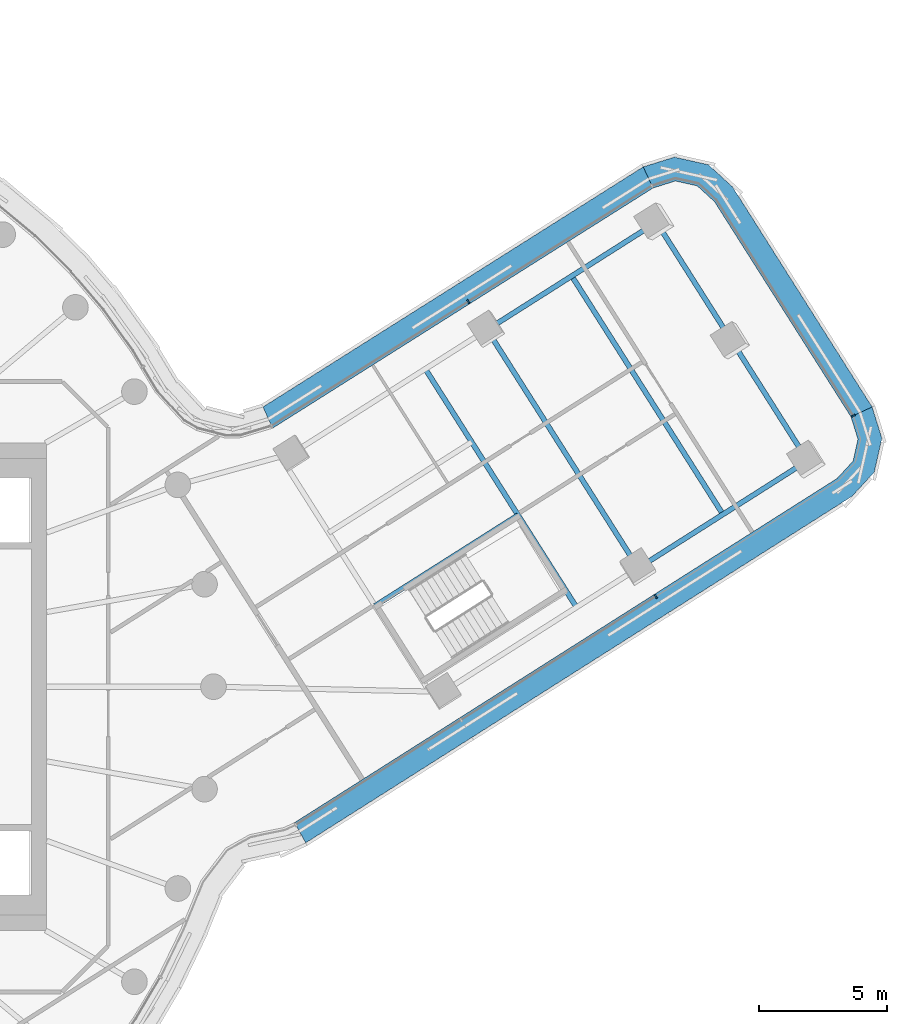
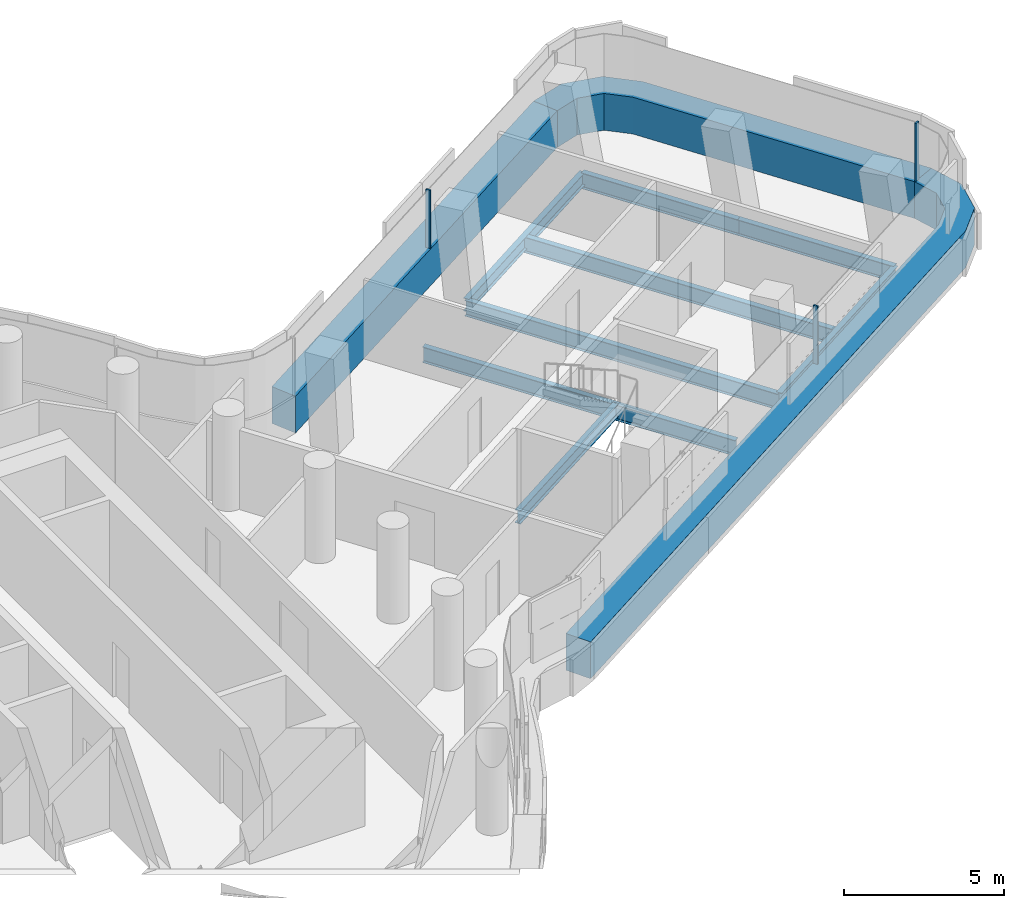
# One storey, part 14 of 36: 8 beams, 6 members, 3 elements without a shape of their own.
"""IFC4 building model written with IfcOpenShell, lengths in metres."""

import ifcopenshell
import ifcopenshell.guid

model = None  # the IFC model being written
_history = None  # IfcOwnerHistory: only IFC2X3 demands one
_inside = {}  # id of a spatial element -> (the spatial element, [elements in it])
_under = {}  # id of a project, library or spatial element -> (it, [spatial elements below it])
_declared = {}  # id of a project -> (the project, [libraries it declares])
_typed = {}  # id of a type object -> (the type object, [elements of that type])
_made_of = {}  # id of a material, layer set ... -> (it, [elements and type objects made of it])


def new_model(schema):
    """Start an empty IFC model of exactly this schema.

    Asked for "IFC4X3", IfcOpenShell would pick the latest addendum, in which some entities
    have other attributes; the version numbers below select the first issue.
    IFC2X3 requires an IfcOwnerHistory on every rooted entity: one is made here for all.
    """
    global model, _history
    if schema == "IFC4X3":
        model = ifcopenshell.file(schema_version=(4, 3, 0, 0))
    else:
        model = ifcopenshell.file(schema=schema)
    _inside.clear()
    _under.clear()
    _declared.clear()
    _typed.clear()
    _made_of.clear()
    _history = None
    if model.schema == "IFC2X3":
        org = make("IfcOrganization", Name="unknown")
        user = make(
            "IfcPersonAndOrganization",
            ThePerson=make("IfcPerson", FamilyName="unknown"),
            TheOrganization=org,
        )
        app = make(
            "IfcApplication",
            ApplicationDeveloper=org,
            Version="unknown",
            ApplicationFullName="unknown",
            ApplicationIdentifier="unknown",
        )
        _history = make(
            "IfcOwnerHistory",
            OwningUser=user,
            OwningApplication=app,
            ChangeAction="ADDED",
            CreationDate=0,
        )
    return model


def make(cls, **values):
    """One entity of the class cls with the attributes given. An attribute that is None is left unset."""
    return model.create_entity(
        cls, **{name: value for name, value in values.items() if value is not None}
    )


def rooted(cls, **values):
    """An entity with a GlobalId (a new one), such as an element, a storey or a relation."""
    return make(cls, GlobalId=ifcopenshell.guid.new(), OwnerHistory=_history, **values)


def si_unit(unit_type, name, prefix=None):
    """IfcSIUnit, for example si_unit("LENGTHUNIT", "METRE", prefix="MILLI")."""
    return make("IfcSIUnit", UnitType=unit_type, Prefix=prefix, Name=name)


def assignment(units):
    """IfcUnitAssignment: the units of a project."""
    return None if units is None else make("IfcUnitAssignment", Units=units)


def point(xyz):
    """IfcCartesianPoint."""
    return None if xyz is None else make("IfcCartesianPoint", Coordinates=xyz)


def direction(xyz):
    """IfcDirection."""
    return None if xyz is None else make("IfcDirection", DirectionRatios=xyz)


def frame(location, z_axis=None, x_axis=None):
    """IfcAxis2Placement3D, a coordinate frame: its origin and axes. An axis left out is left unset."""
    return make(
        "IfcAxis2Placement3D",
        Location=point(location),
        Axis=direction(z_axis),
        RefDirection=direction(x_axis),
    )


def frame_2d(location, x_axis=None):
    """IfcAxis2Placement2D, a coordinate frame in the plane: its origin and x axis."""
    return make(
        "IfcAxis2Placement2D", Location=point(location), RefDirection=direction(x_axis)
    )


def origin():
    """The frame at (0, 0, 0) with its axes left unset."""
    return frame((0.0, 0.0, 0.0))


def origin_2d():
    """The frame at (0, 0) in the plane with its x axis left unset."""
    return frame_2d((0.0, 0.0))


def place(relative_to, where):
    """IfcLocalPlacement: puts the frame where relative to a parent placement (None: the world)."""
    return make(
        "IfcLocalPlacement", PlacementRelTo=relative_to, RelativePlacement=where
    )


def context(
    kind, dimensions, precision=None, world=None, true_north=None, identifier=None
):
    """IfcGeometricRepresentationContext, for example the 3D "Model" context."""
    return make(
        "IfcGeometricRepresentationContext",
        ContextIdentifier=identifier,
        ContextType=kind,
        CoordinateSpaceDimension=dimensions,
        Precision=precision,
        WorldCoordinateSystem=world,
        TrueNorth=true_north,
    )


def subcontext(parent, identifier, kind, view, scale=None):
    """IfcGeometricRepresentationSubContext, for example "Body" below "Model"."""
    return make(
        "IfcGeometricRepresentationSubContext",
        ContextIdentifier=identifier,
        ContextType=kind,
        ParentContext=parent,
        TargetScale=scale,
        TargetView=view,
    )


def project(units=None, contexts=None):
    """IfcProject with its units and contexts."""
    return rooted(
        "IfcProject",
        Name="project",
        RepresentationContexts=contexts,
        UnitsInContext=assignment(units),
    )


def spatial(cls, under=None, at=None, **own):
    """A site, building, storey or space (cls), placed at a placement, below another one or the project."""
    s = rooted(cls, ObjectPlacement=at, **own)
    if under is not None:
        _under.setdefault(under.id(), (under, []))[1].append(s)
    return s


def polyline(points):
    """IfcPolyline through the points."""
    return make("IfcPolyline", Points=[point(p) for p in points])


def profile(cls, at=None, kind="AREA", **sizes):
    """A parametric profile (cls). Its sizes go by their IFC names, for example OverallWidth=200.0."""
    return make(cls, ProfileType=kind, Position=at, **sizes)


def rectangle(**sizes):
    """IfcRectangleProfileDef."""
    return profile("IfcRectangleProfileDef", **sizes)


def i_section(**sizes):
    """IfcIShapeProfileDef."""
    return profile("IfcIShapeProfileDef", **sizes)


def outline(outer, holes=None, kind="AREA"):
    """IfcArbitraryClosedProfileDef: a profile drawn as a closed curve; with holes, ...WithVoids."""
    if holes is None:
        return make("IfcArbitraryClosedProfileDef", ProfileType=kind, OuterCurve=outer)
    return make(
        "IfcArbitraryProfileDefWithVoids",
        ProfileType=kind,
        OuterCurve=outer,
        InnerCurves=holes,
    )


def extrude(swept, where, along, depth):
    """IfcExtrudedAreaSolid: the profile swept, set in the frame where, extruded along a direction by depth."""
    return make(
        "IfcExtrudedAreaSolid",
        SweptArea=swept,
        Position=where,
        ExtrudedDirection=direction(along),
        Depth=depth,
    )


def shape(context_of_items, identifier, shape_type, items):
    """IfcShapeRepresentation: the items that make up one representation, for example the "Body"."""
    return make(
        "IfcShapeRepresentation",
        ContextOfItems=context_of_items,
        RepresentationIdentifier=identifier,
        RepresentationType=shape_type,
        Items=items,
    )


def material(Name=None, Category=None):
    """IfcMaterial."""
    return make("IfcMaterial", Name=Name, Category=Category)


def layer(
    of_material, thickness, ventilated=None, Name=None, Category=None, Priority=None
):
    """IfcMaterialLayer: one layer of a wall or slab, of a material (None: an air gap)."""
    return make(
        "IfcMaterialLayer",
        Material=of_material,
        LayerThickness=thickness,
        IsVentilated=ventilated,
        Name=Name,
        Category=Category,
        Priority=Priority,
    )


def layer_set(layers, Name=None):
    """IfcMaterialLayerSet."""
    return make("IfcMaterialLayerSet", MaterialLayers=layers, LayerSetName=Name)


def material_profile(
    of_material, cross_section, Name=None, Category=None, Priority=None
):
    """IfcMaterialProfile: a cross section and its material."""
    return make(
        "IfcMaterialProfile",
        Name=Name,
        Material=of_material,
        Profile=cross_section,
        Priority=Priority,
        Category=Category,
    )


def profile_set(profiles, Name=None, composite=None):
    """IfcMaterialProfileSet."""
    return make(
        "IfcMaterialProfileSet",
        Name=Name,
        MaterialProfiles=profiles,
        CompositeProfile=composite,
    )


def made_of(thing, what):
    """Note that an element or type object is made of a material, layer set ...; save() writes the relation."""
    if what is not None:
        _made_of.setdefault(what.id(), (what, []))[1].append(thing)
    return thing


def type_object(cls, material=None, **own):
    """A type object (cls), such as IfcWallType, which elements share."""
    return made_of(rooted(cls, **own), material)


def element(
    cls,
    number,
    at=None,
    inside=None,
    cuts=None,
    type_object=None,
    material=None,
    context=None,
    identifier="Body",
    shape_type=None,
    held_by="IfcProductDefinitionShape",
    body=None,
    shapes=None,
    **own,
):
    """One element of the class cls, such as IfcWall. Its Tag is "e" and its number.

    at: its placement. inside: the storey or other place that contains it. cuts: it is an
    opening in that element (IfcRelVoidsElement). A single representation is given by context,
    identifier, shape_type and body (its items); several are given by shapes. held_by: the class
    of the entity that holds the representations. save() writes the other relations.
    """
    e = rooted(cls, Tag="e%d" % number, ObjectPlacement=at, **own)
    if body is not None:
        shapes = [shape(context, identifier, shape_type, body)]
    if shapes is not None:
        e.Representation = make(held_by, Representations=shapes)
    if inside is not None:
        _inside.setdefault(inside.id(), (inside, []))[1].append(e)
    if cuts is not None:
        rooted(
            "IfcRelVoidsElement", RelatingBuildingElement=cuts, RelatedOpeningElement=e
        )
    if type_object is not None:
        _typed.setdefault(type_object.id(), (type_object, []))[1].append(e)
    return made_of(e, material)


def aggregate(whole, parts):
    """IfcRelAggregates: a whole, such as a stair, and the parts it consists of."""
    return rooted("IfcRelAggregates", RelatingObject=whole, RelatedObjects=parts)


def save(model, path):
    """Write the relations noted so far, then the file.

    IfcRelAggregates (storeys below a building ...), IfcRelContainedInSpatialStructure (elements
    in a storey), IfcRelDefinesByType, IfcRelAssociatesMaterial and IfcRelDeclares: one each for
    every whole, place, type object, material and project.
    """
    for whole, parts in _under.values():
        aggregate(whole, parts)
    for where, things in _inside.values():
        rooted(
            "IfcRelContainedInSpatialStructure",
            RelatedElements=things,
            RelatingStructure=where,
        )
    for kind, things in _typed.values():
        rooted("IfcRelDefinesByType", RelatedObjects=things, RelatingType=kind)
    for what, things in _made_of.values():
        rooted("IfcRelAssociatesMaterial", RelatedObjects=things, RelatingMaterial=what)
    for by, libraries in _declared.values():
        rooted("IfcRelDeclares", RelatingContext=by, RelatedDefinitions=libraries)
    model.write(path)


model = new_model("IFC4")

# Units and contexts
model_context = context("Model", 3, precision=1e-05, world=origin(), true_north=direction((0.0, 1.0)))
body_context = subcontext(model_context, "Body", "Model", "MODEL_VIEW")
ifc_project = project(units=[si_unit("LENGTHUNIT", "METRE"), si_unit("AREAUNIT", "SQUARE_METRE"), si_unit("VOLUMEUNIT", "CUBIC_METRE"), si_unit("PLANEANGLEUNIT", "RADIAN"), si_unit("MASSUNIT", "GRAM", prefix="KILO")], contexts=[model_context])

# Site, building, storey
site_placement = place(None, origin())
site = spatial("IfcSite", under=ifc_project, at=site_placement, CompositionType="ELEMENT")
building_placement = place(site_placement, origin())
building = spatial("IfcBuilding", under=site, at=building_placement, Name="Tamarind Cross Interchange Tower", CompositionType="ELEMENT")
storey_placement = place(building_placement, frame((0.0, 0.0, 151.75)))
storey = spatial("IfcBuildingStorey", under=building, at=storey_placement, Name="L37", CompositionType="ELEMENT", Elevation=151.75)

# Beams
ifc_material_1 = material(Name="Steel Q355B", Category="steel")
ifc_material_profile_1 = material_profile(ifc_material_1, i_section(OverallWidth=0.198974609375, OverallDepth=0.49609375, WebThickness=0.009033203125, FlangeThickness=0.013916015625, FilletRadius=0.012939453125, at=origin_2d()), Name="HN 496x199x9x14")
ifc_profile_set_1 = profile_set([ifc_material_profile_1], Name="Steel Q355B")
beam_type_1 = type_object("IfcBeamType", Name="Composite beam HN 496x199x9x14 Q355B", PredefinedType="BEAM", material=ifc_profile_set_1)
beam_1_placement = place(storey_placement, frame((46.157958984375, 8.811279296875, -0.387939453125), z_axis=(-0.844425566196, -0.53567290687, 0.0), x_axis=(0.53567290687, -0.844425566196, 0.0)))
element("IfcBeam", 1, at=beam_1_placement, inside=storey, type_object=beam_type_1, Name="Beam E-edgeem5", PredefinedType="BEAM", context=body_context, shape_type="SweptSolid", body=[
    extrude(i_section(OverallWidth=0.198974609375, OverallDepth=0.49609375, WebThickness=0.009033203125, FlangeThickness=0.013916015625, FilletRadius=0.012939453125, at=origin_2d()), origin(), (0.0, 0.0, 1.0), 7.819580078125),
])
beam_2_placement = place(storey_placement, frame((40.265869140625, 18.10009765625, -0.387939453125), z_axis=(-0.844434524803, -0.535658784414, 0.0), x_axis=(0.535658784414, -0.844434524803, 0.0)))
element("IfcBeam", 2, at=beam_2_placement, inside=storey, type_object=beam_type_1, Name="Beam E-edgeep2", PredefinedType="BEAM", context=body_context, shape_type="SweptSolid", body=[
    extrude(i_section(OverallWidth=0.198974609375, OverallDepth=0.49609375, WebThickness=0.009033203125, FlangeThickness=0.013916015625, FilletRadius=0.012939453125, at=origin_2d()), origin(), (0.0, 0.0, 1.0), 7.81982421875),
])
beam_3_placement = place(storey_placement, frame((29.29833984375, 3.1494140625, -0.387939453125), z_axis=(0.84442981638, 0.535666206895, 0.0), x_axis=(-0.535666206895, 0.84442981638, 0.0)))
element("IfcBeam", 3, at=beam_3_placement, inside=storey, type_object=beam_type_1, Name="Beam E-tr1", PredefinedType="BEAM", context=body_context, shape_type="SweptSolid", body=[
    extrude(i_section(OverallWidth=0.198974609375, OverallDepth=0.49609375, WebThickness=0.009033203125, FlangeThickness=0.013916015625, FilletRadius=0.012939453125, at=origin_2d()), origin(), (0.0, 0.0, 1.0), 6.60009765625),
])
ifc_material_profile_2 = material_profile(ifc_material_1, i_section(OverallWidth=0.199951171875, OverallDepth=0.60009765625, WebThickness=0.010986328125, FlangeThickness=0.01708984375, FilletRadius=0.012939453125, at=origin_2d()), Name="HN 600x200x11x17")
ifc_profile_set_2 = profile_set([ifc_material_profile_2], Name="Steel Q355B")
beam_type_2 = type_object("IfcBeamType", Name="Composite beam HN 600x200x11x17 Q355B", PredefinedType="BEAM", material=ifc_profile_set_2)
beam_4_placement = place(storey_placement, frame((46.157958984375, 8.811279296875, -0.43994140625), z_axis=(-0.535657073422, 0.844435610152, 0.0), x_axis=(-0.844435610152, -0.535657073422, 0.0)))
element("IfcBeam", 4, at=beam_4_placement, inside=storey, type_object=beam_type_2, Name="Beam E-tip0", PredefinedType="BEAM", context=body_context, shape_type="SweptSolid", body=[
    extrude(i_section(OverallWidth=0.199951171875, OverallDepth=0.60009765625, WebThickness=0.010986328125, FlangeThickness=0.01708984375, FilletRadius=0.012939453125, at=origin_2d()), origin(), (0.0, 0.0, 1.0), 5.499755859375),
])
beam_5_placement = place(storey_placement, frame((43.2119140625, 13.45556640625, -0.43994140625), z_axis=(-0.535636995077, 0.844448346262, 0.0), x_axis=(-0.844448346262, -0.535636995077, 0.0)))
element("IfcBeam", 5, at=beam_5_placement, inside=storey, type_object=beam_type_2, Name="Beam E-tip1", PredefinedType="BEAM", context=body_context, shape_type="SweptSolid", body=[
    extrude(i_section(OverallWidth=0.199951171875, OverallDepth=0.60009765625, WebThickness=0.010986328125, FlangeThickness=0.01708984375, FilletRadius=0.012939453125, at=origin_2d()), origin(), (0.0, 0.0, 1.0), 5.5),
])
for number, where, z_axis, x_axis, name in (
    (6, (37.148193359375, 3.095947265625, -0.43994140625), (-0.535662860468, 0.844431939185, 0.0), (-0.844431939185, -0.535662860468, 0.0), "Beam E-x364"),
    (7, (39.554931640625, 4.62255859375, -0.43994140625), (-0.535662860468, 0.844431939185, 0.0), (-0.844431939185, -0.535662860468, 0.0), "Beam E-x393"),
):
    element("IfcBeam", number, at=place(storey_placement, frame(where, z_axis=z_axis, x_axis=x_axis)), inside=storey, type_object=beam_type_2, Name=name, PredefinedType="BEAM", context=body_context, shape_type="SweptSolid", body=[
        extrude(i_section(OverallWidth=0.199951171875, OverallDepth=0.60009765625, WebThickness=0.010986328125, FlangeThickness=0.01708984375, FilletRadius=0.012939453125, at=origin_2d()), origin(), (0.0, 0.0, 1.0), 11.0),
    ])
beam_6_placement = place(storey_placement, frame((42.8564453125, 6.717041015625, -0.43994140625), z_axis=(-0.535672899849, 0.84442557065, 0.0), x_axis=(-0.84442557065, -0.535672899849, 0.0)))
element("IfcBeam", 8, at=beam_6_placement, inside=storey, type_object=beam_type_2, Name="Beam E-x432", PredefinedType="BEAM", context=body_context, shape_type="SweptSolid", body=[
    extrude(i_section(OverallWidth=0.199951171875, OverallDepth=0.60009765625, WebThickness=0.010986328125, FlangeThickness=0.01708984375, FilletRadius=0.012939453125, at=origin_2d()), origin(), (0.0, 0.0, 1.0), 10.999755859375),
])

# Curtain wall, member
ifc_material_2 = material(Name="Aluminium 6063-T6", Category="aluminium")
ifc_layer = layer(ifc_material_2, 0.159912109375)
ifc_layer_set = layer_set([ifc_layer], Name="Aluminium 6063-T6")
curtain_wall_type = type_object("IfcCurtainWallType", Name="Office curtain wall, 9.0 m bays", PredefinedType="NOTDEFINED", material=ifc_layer_set)
curtain_wall_1_placement = place(storey_placement, origin())
curtain_wall_1 = element("IfcCurtainWall", 9, at=curtain_wall_1_placement, inside=storey, type_object=curtain_wall_type, Name="CWS-L37-11", PredefinedType="NOTDEFINED")
ifc_material_3 = material(Name="Aluminium and insulated spandrel panel", Category="aluminium")
member_type_1 = type_object("IfcMemberType", Name="Floor-edge blade transom", PredefinedType="USERDEFINED", material=ifc_material_3)
member_1_placement = place(storey_placement, origin())
member_1 = element("IfcMember", 10, at=member_1_placement, type_object=member_type_1, Name="CWT-L37-11", ObjectType="TRANSOM", PredefinedType="USERDEFINED", context=body_context, shape_type="SweptSolid", body=[
    extrude(outline(polyline([(26.161376953125, -5.294677734375), (47.307861328125, 8.11962890625), (47.927734375, 8.79345703125), (48.11865234375, 9.646728515625), (47.844970703125, 10.520263671875), (48.66845703125, 10.90234375), (49.049560546875, 9.685546875), (48.75341796875, 8.361572265625), (47.89013671875, 7.423095703125), (26.59375, -6.086181640625), (26.161376953125, -5.294677734375)])), origin(), (0.0, 0.0, 1.0), 1.39990234375),
])

curtain_wall_2_placement = place(storey_placement, origin())
curtain_wall_2 = element("IfcCurtainWall", 11, at=curtain_wall_2_placement, inside=storey, type_object=curtain_wall_type, Name="CWS-L37-12", PredefinedType="NOTDEFINED")
member_2_placement = place(storey_placement, origin())
member_2 = element("IfcMember", 12, at=member_2_placement, type_object=member_type_1, Name="CWT-L37-12", ObjectType="TRANSOM", PredefinedType="USERDEFINED", context=body_context, shape_type="SweptSolid", body=[
    extrude(outline(polyline([(47.844970703125, 10.520263671875), (42.53076171875, 18.89794921875), (41.85693359375, 19.517578125), (41.003662109375, 19.70849609375), (40.1298828125, 19.43505859375), (39.74853515625, 20.2587890625), (40.96484375, 20.6396484375), (42.288818359375, 20.34326171875), (43.227294921875, 19.47998046875), (48.66845703125, 10.90234375), (47.844970703125, 10.520263671875)])), origin(), (0.0, 0.0, 1.0), 1.39990234375),
])

curtain_wall_3_placement = place(storey_placement, origin())
curtain_wall_3 = element("IfcCurtainWall", 13, at=curtain_wall_3_placement, inside=storey, type_object=curtain_wall_type, Name="CWS-L37-13", PredefinedType="NOTDEFINED")
member_3_placement = place(storey_placement, origin())
member_3 = element("IfcMember", 14, at=member_3_placement, type_object=member_type_1, Name="CWT-L37-13", ObjectType="TRANSOM", PredefinedType="USERDEFINED", context=body_context, shape_type="SweptSolid", body=[
    extrude(outline(polyline([(40.1298828125, 19.43505859375), (25.30517578125, 10.07470703125), (24.928466796875, 10.9013671875), (39.74853515625, 20.2587890625), (40.1298828125, 19.43505859375)])), origin(), (0.0, 0.0, 1.0), 1.39990234375),
])

# Member
ifc_material_profile_3 = material_profile(ifc_material_2, rectangle(XDim=0.06005859375, YDim=0.159912109375, at=origin_2d()), Name="Mullion CW1")
ifc_profile_set_3 = profile_set([ifc_material_profile_3], Name="Aluminium 6063-T6")
member_type_2 = type_object("IfcMemberType", Name="Mullion CW1", PredefinedType="MULLION", material=ifc_profile_set_3)
member_4_placement = place(storey_placement, frame((40.240234375, 3.517822265625, 1.39990234375), z_axis=(0.0, 0.0, 1.0), x_axis=(0.844432651118, 0.535661738157, 0.0)))
member_4 = element("IfcMember", 15, at=member_4_placement, type_object=member_type_2, Name="CWM-L37-11-02", PredefinedType="MULLION", context=body_context, shape_type="SweptSolid", body=[
    extrude(rectangle(XDim=0.06005859375, YDim=0.159912109375, at=origin_2d()), origin(), (0.0, 0.0, 1.0), 2.210205078125),
])

aggregate(curtain_wall_1, [member_4, member_1])

member_5_placement = place(storey_placement, frame((47.9365234375, 10.562744140625, 1.39990234375), z_axis=(0.0, 0.0, 1.0), x_axis=(-0.420858499194, 0.907126299727, 0.0)))
member_5 = element("IfcMember", 16, at=member_5_placement, type_object=member_type_2, Name="CWM-L37-12-00", PredefinedType="MULLION", context=body_context, shape_type="SweptSolid", body=[
    extrude(rectangle(XDim=0.06005859375, YDim=0.159912109375, at=origin_2d()), origin(), (0.0, 0.0, 1.0), 2.210205078125),
])

aggregate(curtain_wall_2, [member_5, member_2])

member_6_placement = place(storey_placement, frame((32.933837890625, 15.009765625, 1.39990234375), z_axis=(0.0, 0.0, 1.0), x_axis=(-0.845559868241, -0.533880613265, 0.0)))
member_6 = element("IfcMember", 17, at=member_6_placement, type_object=member_type_2, Name="CWM-L37-13-01", PredefinedType="MULLION", context=body_context, shape_type="SweptSolid", body=[
    extrude(rectangle(XDim=0.06005859375, YDim=0.159912109375, at=origin_2d()), origin(), (0.0, 0.0, 1.0), 2.210205078125),
])

aggregate(curtain_wall_3, [member_6, member_3])

save(model, "model.ifc")
